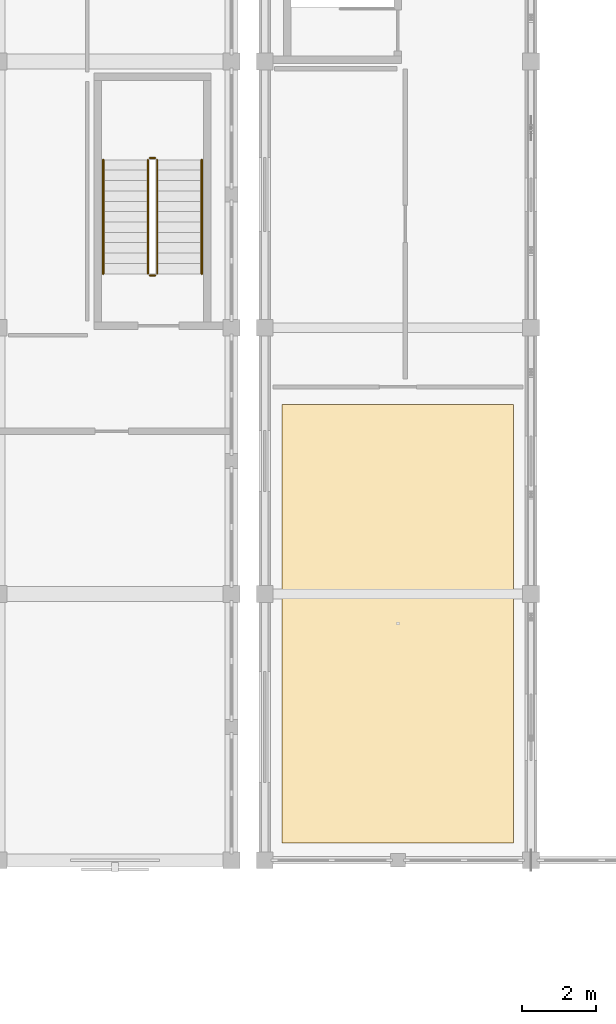
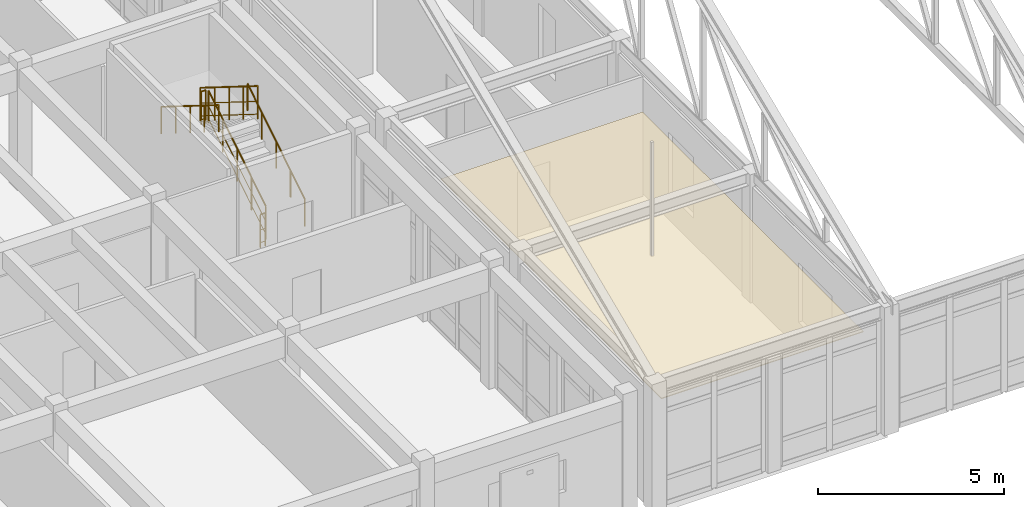
# One storey, part 131 of 136: 6 railings, 1 covering.
"""IFC4 building model written with IfcOpenShell, lengths in metres."""

from ifc_helpers import new_model, si_unit, direction, frame, origin, origin_2d, place, context, subcontext, project, spatial, polyline, circle, outline, extrude, material, layer, layer_set, type_object, element, save


model = new_model("IFC4")

# Units and contexts
model_context = context("Model", 3, precision=1e-05, world=origin(), true_north=direction((0.0, 1.0)))
body_context = subcontext(model_context, "Body", "Model", "MODEL_VIEW")
ifc_project = project(units=[si_unit("LENGTHUNIT", "METRE"), si_unit("AREAUNIT", "SQUARE_METRE"), si_unit("VOLUMEUNIT", "CUBIC_METRE"), si_unit("PLANEANGLEUNIT", "RADIAN"), si_unit("MASSUNIT", "GRAM", prefix="KILO")], contexts=[model_context])

# Site, building, storey
site_placement = place(None, origin())
site = spatial("IfcSite", under=ifc_project, at=site_placement, CompositionType="ELEMENT")
building_placement = place(site_placement, origin())
building = spatial("IfcBuilding", under=site, at=building_placement, Name="Koriwan Promenade Central Fire Station", CompositionType="ELEMENT")
storey_placement = place(building_placement, frame((0.0, 0.0, 5.39990234375)))
storey = spatial("IfcBuildingStorey", under=building, at=storey_placement, Name="L01", CompositionType="ELEMENT", Elevation=5.39990234375)

# Covering
ifc_material_1 = material(Name="Mineral-fibre acoustic ceiling tile on suspended grid", Category="ceiling")
ifc_layer_1 = layer(ifc_material_1, 0.02490234375, Name="Mineral-fibre acoustic ceiling tile on suspended grid")
ifc_layer_set_1 = layer_set([ifc_layer_1], Name="Mineral-fibre acoustic ceiling tile on suspended grid")
covering_type = type_object("IfcCoveringType", Name="AcousticCeiling_Tile", PredefinedType="CEILING", material=ifc_layer_set_1)
covering_placement = place(storey_placement, frame((0.0, 0.0, 3.080078125)))
element("IfcCovering", 1, at=covering_placement, inside=storey, type_object=covering_type, Name="Appliance Watch Overlook Room suspended acoustic ceiling", PredefinedType="CEILING", context=body_context, shape_type="SweptSolid", body=[
    extrude(outline(polyline([(64.330078125, 55.530029296875), (64.330078125, 43.669921875), (58.070068359375, 43.669921875), (58.070068359375, 55.530029296875), (64.330078125, 55.530029296875)])), origin(), (0.0, 0.0, 1.0), 0.02490234375),
])

# Railings
ifc_material_2 = material(Name="Steel ASTM A500 Grade C", Category="steel")
ifc_layer_2 = layer(ifc_material_2, 0.050048828125, Name="Steel ASTM A500 Grade C")
ifc_layer_set_2 = layer_set([ifc_layer_2], Name="Steel ASTM A500 Grade C")
railing_type_1 = type_object("IfcRailingType", Name="StairGuard_1100", PredefinedType="BALUSTRADE", material=ifc_layer_set_2)
railing_1_placement = place(storey_placement, frame((54.68994140625, 59.06005859375, 0.175048828125)))
element("IfcRailing", 2, at=railing_1_placement, inside=storey, type_object=railing_type_1, Name="L01 ST20 stair guard 1", PredefinedType="BALUSTRADE", context=body_context, shape_type="SweptSolid", body=[
    extrude(circle(Radius=0.02392578125, at=origin_2d()), frame((0.0, 0.0, 1.076171875), z_axis=(0.0, 0.847979421464, 0.530029150871), x_axis=(-1.0, 0.0, 0.0)), (0.0, 0.0, 1.0), 3.632080078125),
    extrude(circle(Radius=0.012939453125, at=origin_2d()), frame((0.0, 0.0, 0.572021484375), z_axis=(0.0, 0.847979421464, 0.530029150871), x_axis=(-1.0, 0.0, 0.0)), (0.0, 0.0, 1.0), 3.632080078125),
    extrude(circle(Radius=0.012939453125, at=origin_2d()), frame((0.0, 0.0, 0.154052734375), z_axis=(0.0, 0.847979421464, 0.530029150871), x_axis=(-1.0, 0.0, 0.0)), (0.0, 0.0, 1.0), 3.632080078125),
    extrude(circle(Radius=0.02099609375, at=origin_2d()), origin(), (0.0, 0.0, 1.0), 1.052001953125),
    extrude(circle(Radius=0.02099609375, at=origin_2d()), frame((0.0, 0.77001953125, 0.481201171875)), (0.0, 0.0, 1.0), 1.052001953125),
    extrude(circle(Radius=0.02099609375, at=origin_2d()), frame((0.0, 1.5400390625, 0.96240234375)), (0.0, 0.0, 1.0), 1.052001953125),
    extrude(circle(Radius=0.02099609375, at=origin_2d()), frame((0.0, 2.309814453125, 1.44384765625)), (0.0, 0.0, 1.0), 1.052001953125),
    extrude(circle(Radius=0.02099609375, at=origin_2d()), frame((0.0, 3.079833984375, 1.925048828125)), (0.0, 0.0, 1.0), 1.052001953125),
])
railing_2_placement = place(storey_placement, frame((54.639892578125, 62.18994140625, 2.10009765625)))
element("IfcRailing", 3, at=railing_2_placement, inside=storey, type_object=railing_type_1, Name="L01 ST20 stair guard 2", PredefinedType="BALUSTRADE", context=body_context, shape_type="SweptSolid", body=[
    extrude(circle(Radius=0.02392578125, at=origin_2d()), frame((0.0, 0.0, 1.076171875), z_axis=(-1.0, 0.0, 0.0), x_axis=(0.0, -1.0, 0.0)), (0.0, 0.0, 1.0), 0.14990234375),
    extrude(circle(Radius=0.012939453125, at=origin_2d()), frame((0.0, 0.0, 0.572021484375), z_axis=(-1.0, 0.0, 0.0), x_axis=(0.0, -1.0, 0.0)), (0.0, 0.0, 1.0), 0.14990234375),
    extrude(circle(Radius=0.012939453125, at=origin_2d()), frame((0.0, 0.0, 0.154052734375), z_axis=(-1.0, 0.0, 0.0), x_axis=(0.0, -1.0, 0.0)), (0.0, 0.0, 1.0), 0.14990234375),
    extrude(circle(Radius=0.02099609375, at=origin_2d()), origin(), (0.0, 0.0, 1.0), 1.052001953125),
    extrude(circle(Radius=0.02099609375, at=origin_2d()), frame((-0.14990234375, 0.0, 0.0)), (0.0, 0.0, 1.0), 1.052001953125),
])
railing_3_placement = place(storey_placement, frame((54.43994140625, 62.139892578125, 2.275146484375)))
element("IfcRailing", 4, at=railing_3_placement, inside=storey, type_object=railing_type_1, Name="L01 ST20 stair guard 3", PredefinedType="BALUSTRADE", context=body_context, shape_type="SweptSolid", body=[
    extrude(circle(Radius=0.02392578125, at=origin_2d()), frame((0.0, 0.0, 1.076171875), z_axis=(0.0, -0.847979421464, 0.530029150871), x_axis=(1.0, 0.0, 0.0)), (0.0, 0.0, 1.0), 3.632080078125),
    extrude(circle(Radius=0.012939453125, at=origin_2d()), frame((0.0, 0.0, 0.572021484375), z_axis=(0.0, -0.847979421464, 0.530029150871), x_axis=(1.0, 0.0, 0.0)), (0.0, 0.0, 1.0), 3.632080078125),
    extrude(circle(Radius=0.012939453125, at=origin_2d()), frame((0.0, 0.0, 0.154052734375), z_axis=(0.0, -0.847979421464, 0.530029150871), x_axis=(1.0, 0.0, 0.0)), (0.0, 0.0, 1.0), 3.632080078125),
    extrude(circle(Radius=0.02099609375, at=origin_2d()), origin(), (0.0, 0.0, 1.0), 1.052001953125),
    extrude(circle(Radius=0.02099609375, at=origin_2d()), frame((0.0, -0.77001953125, 0.481201171875)), (0.0, 0.0, 1.0), 1.052001953125),
    extrude(circle(Radius=0.02099609375, at=origin_2d()), frame((0.0, -1.5400390625, 0.96240234375)), (0.0, 0.0, 1.0), 1.052001953125),
    extrude(circle(Radius=0.02099609375, at=origin_2d()), frame((0.0, -2.309814453125, 1.44384765625)), (0.0, 0.0, 1.0), 1.052001953125),
    extrude(circle(Radius=0.02099609375, at=origin_2d()), frame((0.0, -3.079833984375, 1.925048828125)), (0.0, 0.0, 1.0), 1.052001953125),
])
railing_4_placement = place(storey_placement, frame((54.639892578125, 59.010009765625, 0.0)))
element("IfcRailing", 5, at=railing_4_placement, inside=storey, type_object=railing_type_1, Name="L01 ST20 stair guard 4", PredefinedType="BALUSTRADE", context=body_context, shape_type="SweptSolid", body=[
    extrude(circle(Radius=0.02392578125, at=origin_2d()), frame((0.0, 0.0, 1.076171875), z_axis=(-1.0, 0.0, 0.0), x_axis=(0.0, -1.0, 0.0)), (0.0, 0.0, 1.0), 0.14990234375),
    extrude(circle(Radius=0.012939453125, at=origin_2d()), frame((0.0, 0.0, 0.572021484375), z_axis=(-1.0, 0.0, 0.0), x_axis=(0.0, -1.0, 0.0)), (0.0, 0.0, 1.0), 0.14990234375),
    extrude(circle(Radius=0.012939453125, at=origin_2d()), frame((0.0, 0.0, 0.154052734375), z_axis=(-1.0, 0.0, 0.0), x_axis=(0.0, -1.0, 0.0)), (0.0, 0.0, 1.0), 0.14990234375),
    extrude(circle(Radius=0.02099609375, at=origin_2d()), origin(), (0.0, 0.0, 1.0), 1.052001953125),
    extrude(circle(Radius=0.02099609375, at=origin_2d()), frame((-0.14990234375, 0.0, 0.0)), (0.0, 0.0, 1.0), 1.052001953125),
])
ifc_material_3 = material(Name="Stainless steel 316 tubular handrail", Category="steel")
ifc_layer_3 = layer(ifc_material_3, 0.048095703125, Name="Stainless steel 316 tubular handrail")
ifc_layer_set_3 = layer_set([ifc_layer_3], Name="Stainless steel 316 tubular handrail")
railing_type_2 = type_object("IfcRailingType", Name="StairHandrail_900", PredefinedType="HANDRAIL", material=ifc_layer_set_3)
railing_5_placement = place(storey_placement, frame((55.89990234375, 59.06005859375, 0.175048828125)))
element("IfcRailing", 6, at=railing_5_placement, inside=storey, type_object=railing_type_2, Name="L01 ST20 stair handrail 1", PredefinedType="HANDRAIL", context=body_context, shape_type="SweptSolid", body=[
    extrude(circle(Radius=0.02392578125, at=origin_2d()), frame((0.0, 0.0, 0.8759765625), z_axis=(0.0, 0.847979421464, 0.530029150871), x_axis=(-1.0, 0.0, 0.0)), (0.0, 0.0, 1.0), 3.632080078125),
    extrude(circle(Radius=0.02099609375, at=origin_2d()), origin(), (0.0, 0.0, 1.0), 0.851806640625),
    extrude(circle(Radius=0.02099609375, at=origin_2d()), frame((0.0, 0.77001953125, 0.481201171875)), (0.0, 0.0, 1.0), 0.851806640625),
    extrude(circle(Radius=0.02099609375, at=origin_2d()), frame((0.0, 1.5400390625, 0.96240234375)), (0.0, 0.0, 1.0), 0.851806640625),
    extrude(circle(Radius=0.02099609375, at=origin_2d()), frame((0.0, 2.309814453125, 1.44384765625)), (0.0, 0.0, 1.0), 0.851806640625),
    extrude(circle(Radius=0.02099609375, at=origin_2d()), frame((0.0, 3.079833984375, 1.925048828125)), (0.0, 0.0, 1.0), 0.851806640625),
])
railing_6_placement = place(storey_placement, frame((53.22998046875, 62.139892578125, 2.275146484375)))
element("IfcRailing", 7, at=railing_6_placement, inside=storey, type_object=railing_type_2, Name="L01 ST20 stair handrail 2", PredefinedType="HANDRAIL", context=body_context, shape_type="SweptSolid", body=[
    extrude(circle(Radius=0.02392578125, at=origin_2d()), frame((0.0, 0.0, 0.8759765625), z_axis=(0.0, -0.847979421464, 0.530029150871), x_axis=(1.0, 0.0, 0.0)), (0.0, 0.0, 1.0), 3.632080078125),
    extrude(circle(Radius=0.02099609375, at=origin_2d()), origin(), (0.0, 0.0, 1.0), 0.851806640625),
    extrude(circle(Radius=0.02099609375, at=origin_2d()), frame((0.0, -0.77001953125, 0.481201171875)), (0.0, 0.0, 1.0), 0.851806640625),
    extrude(circle(Radius=0.02099609375, at=origin_2d()), frame((0.0, -1.5400390625, 0.96240234375)), (0.0, 0.0, 1.0), 0.851806640625),
    extrude(circle(Radius=0.02099609375, at=origin_2d()), frame((0.0, -2.309814453125, 1.44384765625)), (0.0, 0.0, 1.0), 0.851806640625),
    extrude(circle(Radius=0.02099609375, at=origin_2d()), frame((0.0, -3.079833984375, 1.925048828125)), (0.0, 0.0, 1.0), 0.851806640625),
])

save(model, "model.ifc")
